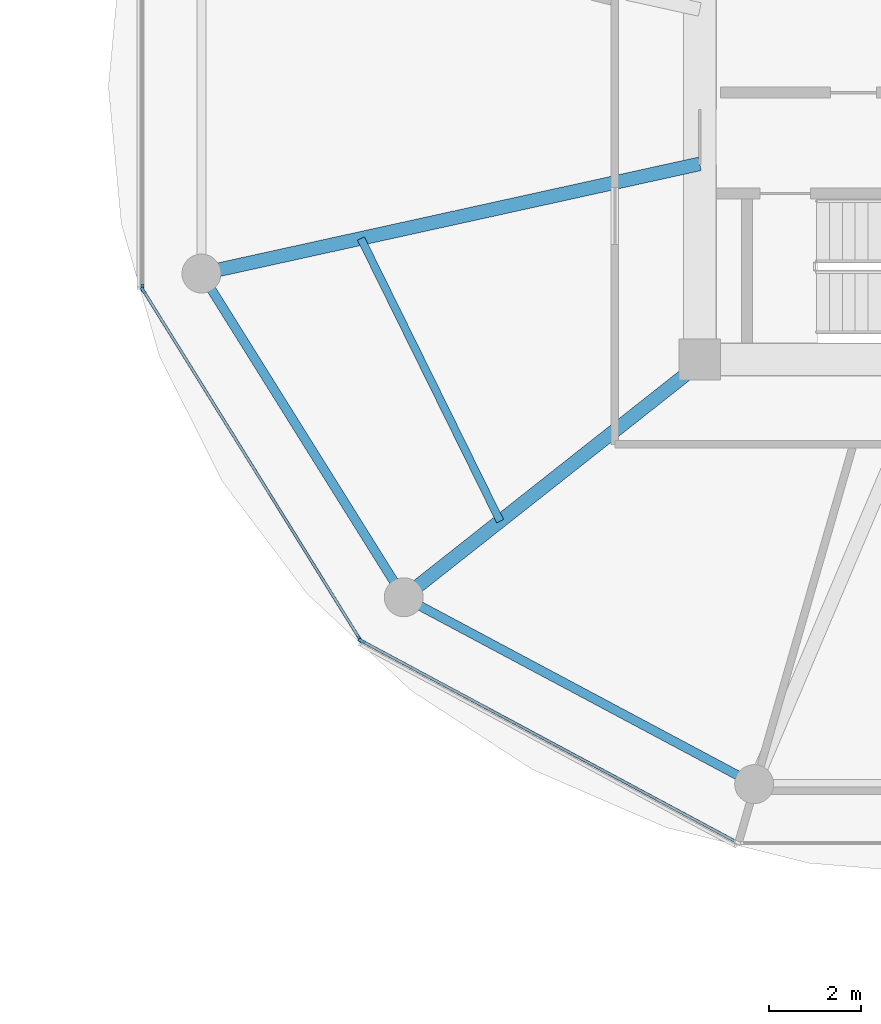
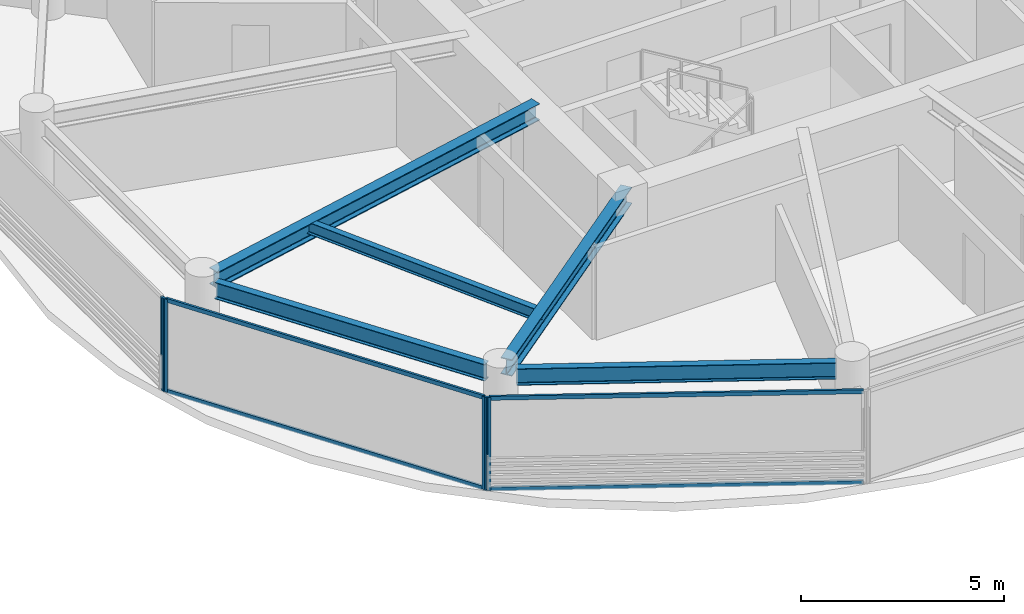
# One storey, part 6 of 24: 8 members, 5 beams, 3 elements without a shape of their own.
"""IFC4 building model written with IfcOpenShell, lengths in metres."""

from ifc_helpers import new_model, si_unit, direction, frame, origin, origin_2d, place, context, subcontext, project, spatial, rectangle, i_section, extrude, source, transform, mapped, material, layer, layer_set, material_profile, profile_set, type_object, type_shapes, element, aggregate, save


model = new_model("IFC4")

# Units and contexts
model_context = context("Model", 3, precision=1e-05, world=origin(), true_north=direction((0.0, 1.0)))
body_context = subcontext(model_context, "Body", "Model", "MODEL_VIEW")
ifc_project = project(units=[si_unit("LENGTHUNIT", "METRE"), si_unit("AREAUNIT", "SQUARE_METRE"), si_unit("VOLUMEUNIT", "CUBIC_METRE"), si_unit("PLANEANGLEUNIT", "RADIAN"), si_unit("MASSUNIT", "GRAM", prefix="KILO")], contexts=[model_context])

# Site, building, storey
site_placement = place(None, origin())
site = spatial("IfcSite", under=ifc_project, at=site_placement, CompositionType="ELEMENT")
building_placement = place(site_placement, origin())
building = spatial("IfcBuilding", under=site, at=building_placement, Name="Norrkilde Senior Care Towers", CompositionType="ELEMENT")
storey_placement = place(building_placement, frame((0.0, 0.0, 114.550048828125)))
storey = spatial("IfcBuildingStorey", under=building, at=storey_placement, Name="L35", CompositionType="ELEMENT", Elevation=114.550048828125)

# Beams
ifc_material_1 = material(Name="Steel S355", Category="steel")
ifc_material_profile_1 = material_profile(ifc_material_1, i_section(OverallWidth=0.199951171875, OverallDepth=0.5, WebThickness=0.01025390625, FlangeThickness=0.01611328125, FilletRadius=0.02099609375, at=origin_2d()), Name="IPE 500")
ifc_profile_set_1 = profile_set([ifc_material_profile_1], Name="Steel S355")
beam_type_1 = type_object("IfcBeamType", Name="Perimeter Ring Spandrel Z2 IPE500", PredefinedType="SPANDREL", material=ifc_profile_set_1)
shared_shape_1 = source(origin(), body_context, "Body", "SweptSolid", [
    extrude(i_section(OverallWidth=0.199951171875, OverallDepth=0.5, WebThickness=0.01025390625, FlangeThickness=0.01611328125, FilletRadius=0.02099609375, at=origin_2d()), origin(), (0.0, 0.0, 1.0), 7.55615234375),
])
beam_1_placement = place(storey_placement, frame((9.68505859375, -4.40283203125, 2.5400390625), z_axis=(0.529981514254, -0.848009194849, 0.0), x_axis=(0.848009194849, 0.529981514254, 0.0)))
element("IfcBeam", 1, at=beam_1_placement, inside=storey, type_object=beam_type_1, Name="L35 Drum E Perimeter Spandrel 07", PredefinedType="SPANDREL", context=body_context, shape_type="MappedRepresentation", body=[
    mapped(shared_shape_1, transform((0.0, 0.0, 0.0), x_axis=(1.0, 0.0, 0.0), y_axis=(0.0, 1.0, 0.0), z_axis=(0.0, 0.0, 1.0), scale=1.0)),
])
ifc_material_profile_2 = material_profile(ifc_material_1, i_section(OverallWidth=0.300048828125, OverallDepth=0.5, WebThickness=0.014404296875, FlangeThickness=0.028076171875, FilletRadius=0.027099609375, at=origin_2d()), Name="HEB 500")
ifc_profile_set_2 = profile_set([ifc_material_profile_2], Name="Steel S355")
beam_type_2 = type_object("IfcBeamType", Name="Radial Floor Beam Z2 HEB500", PredefinedType="BEAM", material=ifc_profile_set_2)
shared_shape_2 = source(origin(), body_context, "Body", "SweptSolid", [
    extrude(i_section(OverallWidth=0.300048828125, OverallDepth=0.5, WebThickness=0.014404296875, FlangeThickness=0.028076171875, FilletRadius=0.027099609375, at=origin_2d()), origin(), (0.0, 0.0, 1.0), 10.744384765625),
])
beam_2_placement = place(storey_placement, frame((20.35009765625, -1.683837890625, 2.5400390625), z_axis=(-0.976618711422, -0.214978818724, 0.0), x_axis=(0.214978818724, -0.976618711422, 0.0)))
element("IfcBeam", 2, at=beam_2_placement, inside=storey, type_object=beam_type_2, Name="L35 Drum E Radial Floor Beam 07", PredefinedType="BEAM", context=body_context, shape_type="MappedRepresentation", body=[
    mapped(shared_shape_2, transform((0.0, 0.0, 0.0), x_axis=(1.0, 0.0, 0.0), y_axis=(0.0, 1.0, 0.0), z_axis=(0.0, 0.0, 1.0), scale=1.0)),
])
shared_shape_3 = source(origin(), body_context, "Body", "SweptSolid", [
    extrude(i_section(OverallWidth=0.199951171875, OverallDepth=0.5, WebThickness=0.01025390625, FlangeThickness=0.01611328125, FilletRadius=0.02099609375, at=origin_2d()), origin(), (0.0, 0.0, 1.0), 7.892333984375),
])
type_shapes(beam_type_1, [shared_shape_1, shared_shape_3])
beam_3_placement = place(storey_placement, frame((14.233642578125, -11.318115234375, 2.5400390625), z_axis=(0.882350372282, -0.47059305194, 0.0), x_axis=(0.47059305194, 0.882350372282, 0.0)))
element("IfcBeam", 3, at=beam_3_placement, inside=storey, type_object=beam_type_1, Name="L35 Drum E Perimeter Spandrel 08", PredefinedType="SPANDREL", context=body_context, shape_type="MappedRepresentation", body=[
    mapped(shared_shape_3, transform((0.0, 0.0, 0.0), x_axis=(1.0, 0.0, 0.0), y_axis=(0.0, 1.0, 0.0), z_axis=(0.0, 0.0, 1.0), scale=1.0)),
])
shared_shape_4 = source(origin(), body_context, "Body", "SweptSolid", [
    extrude(i_section(OverallWidth=0.300048828125, OverallDepth=0.5, WebThickness=0.014404296875, FlangeThickness=0.028076171875, FilletRadius=0.027099609375, at=origin_2d()), origin(), (0.0, 0.0, 1.0), 7.985595703125),
])
type_shapes(beam_type_2, [shared_shape_2, shared_shape_4])
beam_4_placement = place(storey_placement, frame((20.463623046875, -5.949951171875, 2.5400390625), z_axis=(-0.784858505144, -0.619675017169, 0.0), x_axis=(0.619675017169, -0.784858505144, 0.0)))
element("IfcBeam", 4, at=beam_4_placement, inside=storey, type_object=beam_type_2, Name="L35 Drum E Radial Floor Beam 08", PredefinedType="BEAM", context=body_context, shape_type="MappedRepresentation", body=[
    mapped(shared_shape_4, transform((0.0, 0.0, 0.0), x_axis=(1.0, 0.0, 0.0), y_axis=(0.0, 1.0, 0.0), z_axis=(0.0, 0.0, 1.0), scale=1.0)),
])
ifc_material_profile_3 = material_profile(ifc_material_1, i_section(OverallWidth=0.169921875, OverallDepth=0.360107421875, WebThickness=0.008056640625, FlangeThickness=0.0126953125, FilletRadius=0.01806640625, at=origin_2d()), Name="IPE 360")
ifc_profile_set_3 = profile_set([ifc_material_profile_3], Name="Steel S355")
beam_type_3 = type_object("IfcBeamType", Name="Secondary Floor Joist IPE360", PredefinedType="JOIST", material=ifc_profile_set_3)
shared_shape_5 = source(origin(), body_context, "Body", "SweptSolid", [
    extrude(i_section(OverallWidth=0.169921875, OverallDepth=0.360107421875, WebThickness=0.008056640625, FlangeThickness=0.0126953125, FilletRadius=0.01806640625, at=origin_2d()), origin(), (0.0, 0.0, 1.0), 6.87353515625),
])
type_shapes(beam_type_3, [shared_shape_5])
beam_5_placement = place(storey_placement, frame((12.958984375, -3.310791015625, 2.60986328125), z_axis=(0.44184939592, -0.897089243791, 0.0), x_axis=(0.897089243791, 0.44184939592, 0.0)))
element("IfcBeam", 5, at=beam_5_placement, inside=storey, type_object=beam_type_3, Name="L35 Drum E Secondary Floor Joist 3", PredefinedType="JOIST", context=body_context, shape_type="MappedRepresentation", body=[
    mapped(shared_shape_5, transform((0.0, 0.0, 0.0), x_axis=(1.0, 0.0, 0.0), y_axis=(0.0, 1.0, 0.0), z_axis=(0.0, 0.0, 1.0), scale=1.0)),
])

# Curtain wall, member
ifc_material_2 = material(Name="Triple Low-E Insulated Glazing", Category="glass")
ifc_layer = layer(ifc_material_2, 0.195068359375)
ifc_layer_set = layer_set([ifc_layer], Name="Triple Low-E Insulated Glazing")
curtain_wall_type = type_object("IfcCurtainWallType", Name="CW3 Zone 2 Assisted Living Curtain Wall", PredefinedType="NOTDEFINED", material=ifc_layer_set)
curtain_wall_1_placement = place(storey_placement, origin())
curtain_wall_1 = element("IfcCurtainWall", 6, at=curtain_wall_1_placement, inside=storey, type_object=curtain_wall_type, Name="L35 Drum E Curtain Wall 05", PredefinedType="NOTDEFINED")
ifc_material_3 = material(Name="Anodised Aluminium", Category="aluminium")
ifc_material_profile_4 = material_profile(ifc_material_3, rectangle(XDim=0.06494140625, YDim=0.159912109375, at=origin_2d()), Name="ALU MULL 65x160")
ifc_profile_set_4 = profile_set([ifc_material_profile_4], Name="Anodised Aluminium")
member_type_1 = type_object("IfcMemberType", Name="Curtain Wall Mullion Z1-Z2 65x160", PredefinedType="MULLION", material=ifc_profile_set_4)
shared_shape_6 = source(origin(), body_context, "Body", "SweptSolid", [
    extrude(rectangle(XDim=0.06494140625, YDim=0.159912109375, at=origin_2d()), origin(), (0.0, 0.0, 1.0), 2.7900390625),
])
type_shapes(member_type_1, [shared_shape_6])
member_1_placement = place(storey_placement, frame((8.1962890625, -4.38818359375, 0.0), z_axis=(0.0, 0.0, 1.0), x_axis=(-1.0, 0.0, 0.0)))
member_1 = element("IfcMember", 7, at=member_1_placement, type_object=member_type_1, Name="CW-3 mullion 1", PredefinedType="MULLION", context=body_context, shape_type="MappedRepresentation", body=[
    mapped(shared_shape_6, transform((0.0, 0.0, 0.0), x_axis=(1.0, 0.0, 0.0), y_axis=(0.0, 1.0, 0.0), z_axis=(0.0, 0.0, 1.0), scale=1.0)),
])
aggregate(curtain_wall_1, [member_1])

# Curtain wall, members
curtain_wall_2_placement = place(storey_placement, origin())
curtain_wall_2 = element("IfcCurtainWall", 8, at=curtain_wall_2_placement, inside=storey, type_object=curtain_wall_type, Name="L35 Drum E Curtain Wall 06", PredefinedType="NOTDEFINED")
member_2_placement = place(storey_placement, frame((12.936279296875, -12.0498046875, 0.0), z_axis=(0.0, 0.0, 1.0), x_axis=(-0.849410171862, -0.527733228002, 0.0)))
member_2 = element("IfcMember", 9, at=member_2_placement, type_object=member_type_1, Name="CW-3 mullion 1", PredefinedType="MULLION", context=body_context, shape_type="MappedRepresentation", body=[
    mapped(shared_shape_6, transform((0.0, 0.0, 0.0), x_axis=(1.0, 0.0, 0.0), y_axis=(0.0, 1.0, 0.0), z_axis=(0.0, 0.0, 1.0), scale=1.0)),
])
member_3_placement = place(storey_placement, frame((8.21337890625, -4.4482421875, 0.0), z_axis=(0.0, 0.0, 1.0), x_axis=(-0.849410171862, -0.527733228002, 0.0)))
member_3 = element("IfcMember", 10, at=member_3_placement, type_object=member_type_1, Name="CW-3 mullion 2", PredefinedType="MULLION", context=body_context, shape_type="MappedRepresentation", body=[
    mapped(shared_shape_6, transform((0.0, 0.0, 0.0), x_axis=(1.0, 0.0, 0.0), y_axis=(0.0, 1.0, 0.0), z_axis=(0.0, 0.0, 1.0), scale=1.0)),
])

# Curtain wall, member
curtain_wall_3_placement = place(storey_placement, origin())
curtain_wall_3 = element("IfcCurtainWall", 11, at=curtain_wall_3_placement, inside=storey, type_object=curtain_wall_type, Name="L35 Drum E Curtain Wall 07", PredefinedType="NOTDEFINED")
member_4_placement = place(storey_placement, frame((12.98193359375, -12.0927734375, 0.0), z_axis=(0.0, 0.0, 1.0), x_axis=(-0.472769402511, -0.881186184668, 0.0)))
member_4 = element("IfcMember", 12, at=member_4_placement, type_object=member_type_1, Name="CW-3 mullion 2", PredefinedType="MULLION", context=body_context, shape_type="MappedRepresentation", body=[
    mapped(shared_shape_6, transform((0.0, 0.0, 0.0), x_axis=(1.0, 0.0, 0.0), y_axis=(0.0, 1.0, 0.0), z_axis=(0.0, 0.0, 1.0), scale=1.0)),
])

# Member
ifc_material_profile_5 = material_profile(ifc_material_3, rectangle(XDim=0.06005859375, YDim=0.1201171875, at=origin_2d()), Name="ALU TRAN 60x120")
ifc_profile_set_5 = profile_set([ifc_material_profile_5], Name="Anodised Aluminium")
member_type_2 = type_object("IfcMemberType", Name="Curtain Wall Transom Typical 60x120", PredefinedType="USERDEFINED", material=ifc_profile_set_5)
shared_shape_7 = source(origin(), body_context, "Body", "SweptSolid", [
    extrude(rectangle(XDim=0.06005859375, YDim=0.1201171875, at=origin_2d()), origin(), (0.0, 0.0, 1.0), 8.88427734375),
])
member_5_placement = place(storey_placement, frame((12.919189453125, -12.022216796875, 0.030029296875), z_axis=(-0.527749293309, 0.849400190377, 0.0), x_axis=(-0.849400190377, -0.527749293309, 0.0)))
member_5 = element("IfcMember", 13, at=member_5_placement, type_object=member_type_2, Name="CW-3 transom 1.1", ObjectType="TRANSOM", PredefinedType="USERDEFINED", context=body_context, shape_type="MappedRepresentation", body=[
    mapped(shared_shape_7, transform((0.0, 0.0, 0.0), x_axis=(1.0, 0.0, 0.0), y_axis=(0.0, 1.0, 0.0), z_axis=(0.0, 0.0, 1.0), scale=1.0)),
])

member_6_placement = place(storey_placement, frame((12.919189453125, -12.022216796875, 2.760009765625), z_axis=(-0.527749293309, 0.849400190377, 0.0), x_axis=(-0.849400190377, -0.527749293309, 0.0)))
member_6 = element("IfcMember", 14, at=member_6_placement, type_object=member_type_2, Name="CW-3 transom 1.2", ObjectType="TRANSOM", PredefinedType="USERDEFINED", context=body_context, shape_type="MappedRepresentation", body=[
    mapped(shared_shape_7, transform((0.0, 0.0, 0.0), x_axis=(1.0, 0.0, 0.0), y_axis=(0.0, 1.0, 0.0), z_axis=(0.0, 0.0, 1.0), scale=1.0)),
])

aggregate(curtain_wall_2, [member_2, member_3, member_5, member_6])

shared_shape_8 = source(origin(), body_context, "Body", "SweptSolid", [
    extrude(rectangle(XDim=0.06005859375, YDim=0.1201171875, at=origin_2d()), origin(), (0.0, 0.0, 1.0), 9.220458984375),
])
type_shapes(member_type_2, [shared_shape_7, shared_shape_8])
member_7_placement = place(storey_placement, frame((21.1357421875, -16.46728515625, 0.030029296875), z_axis=(-0.881188517866, 0.472765053681, 0.0), x_axis=(-0.472765053681, -0.881188517866, 0.0)))
member_7 = element("IfcMember", 15, at=member_7_placement, type_object=member_type_2, Name="CW-3 transom 1.1", ObjectType="TRANSOM", PredefinedType="USERDEFINED", context=body_context, shape_type="MappedRepresentation", body=[
    mapped(shared_shape_8, transform((0.0, 0.0, 0.0), x_axis=(1.0, 0.0, 0.0), y_axis=(0.0, 1.0, 0.0), z_axis=(0.0, 0.0, 1.0), scale=1.0)),
])

member_8_placement = place(storey_placement, frame((21.1357421875, -16.46728515625, 2.760009765625), z_axis=(-0.881188517866, 0.472765053681, 0.0), x_axis=(-0.472765053681, -0.881188517866, 0.0)))
member_8 = element("IfcMember", 16, at=member_8_placement, type_object=member_type_2, Name="CW-3 transom 1.2", ObjectType="TRANSOM", PredefinedType="USERDEFINED", context=body_context, shape_type="MappedRepresentation", body=[
    mapped(shared_shape_8, transform((0.0, 0.0, 0.0), x_axis=(1.0, 0.0, 0.0), y_axis=(0.0, 1.0, 0.0), z_axis=(0.0, 0.0, 1.0), scale=1.0)),
])

aggregate(curtain_wall_3, [member_4, member_7, member_8])

save(model, "model.ifc")
